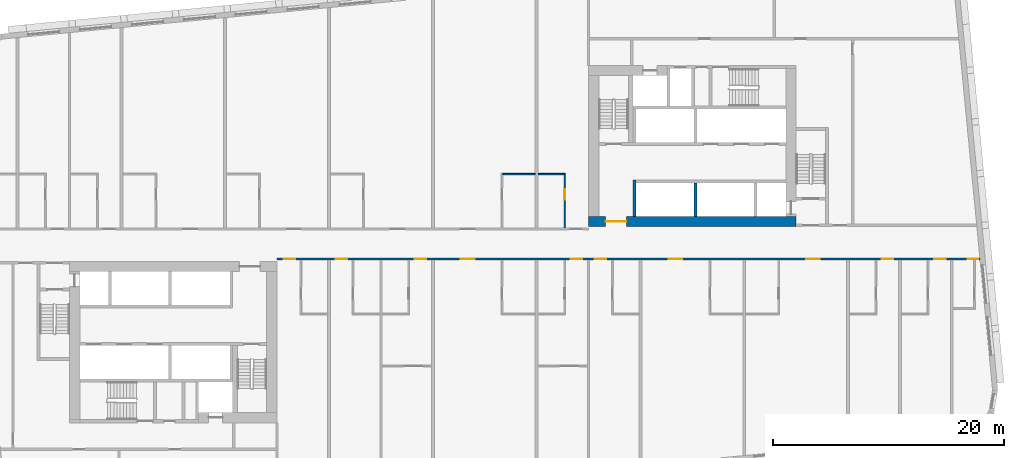
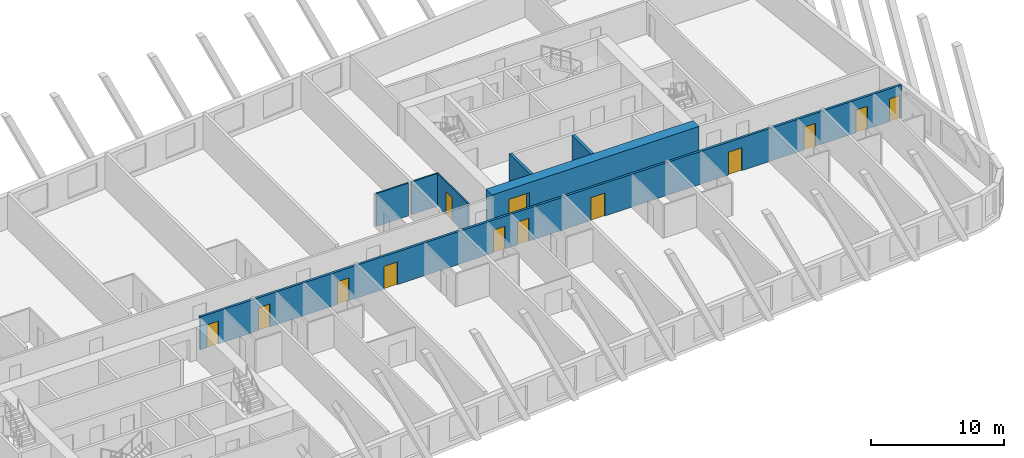
# One storey, part 5 of 13: 13 doors, 7 walls, 13 openings.
"""IFC4 building model written with IfcOpenShell, lengths in metres."""

import ifcopenshell
import ifcopenshell.guid

model = None  # the IFC model being written
_history = None  # IfcOwnerHistory: only IFC2X3 demands one
_inside = {}  # id of a spatial element -> (the spatial element, [elements in it])
_under = {}  # id of a project, library or spatial element -> (it, [spatial elements below it])
_declared = {}  # id of a project -> (the project, [libraries it declares])
_typed = {}  # id of a type object -> (the type object, [elements of that type])
_made_of = {}  # id of a material, layer set ... -> (it, [elements and type objects made of it])


def new_model(schema):
    """Start an empty IFC model of exactly this schema.

    Asked for "IFC4X3", IfcOpenShell would pick the latest addendum, in which some entities
    have other attributes; the version numbers below select the first issue.
    IFC2X3 requires an IfcOwnerHistory on every rooted entity: one is made here for all.
    """
    global model, _history
    if schema == "IFC4X3":
        model = ifcopenshell.file(schema_version=(4, 3, 0, 0))
    else:
        model = ifcopenshell.file(schema=schema)
    _inside.clear()
    _under.clear()
    _declared.clear()
    _typed.clear()
    _made_of.clear()
    _history = None
    if model.schema == "IFC2X3":
        org = make("IfcOrganization", Name="unknown")
        user = make(
            "IfcPersonAndOrganization",
            ThePerson=make("IfcPerson", FamilyName="unknown"),
            TheOrganization=org,
        )
        app = make(
            "IfcApplication",
            ApplicationDeveloper=org,
            Version="unknown",
            ApplicationFullName="unknown",
            ApplicationIdentifier="unknown",
        )
        _history = make(
            "IfcOwnerHistory",
            OwningUser=user,
            OwningApplication=app,
            ChangeAction="ADDED",
            CreationDate=0,
        )
    return model


def make(cls, **values):
    """One entity of the class cls with the attributes given. An attribute that is None is left unset."""
    return model.create_entity(
        cls, **{name: value for name, value in values.items() if value is not None}
    )


def rooted(cls, **values):
    """An entity with a GlobalId (a new one), such as an element, a storey or a relation."""
    return make(cls, GlobalId=ifcopenshell.guid.new(), OwnerHistory=_history, **values)


def si_unit(unit_type, name, prefix=None):
    """IfcSIUnit, for example si_unit("LENGTHUNIT", "METRE", prefix="MILLI")."""
    return make("IfcSIUnit", UnitType=unit_type, Prefix=prefix, Name=name)


def assignment(units):
    """IfcUnitAssignment: the units of a project."""
    return None if units is None else make("IfcUnitAssignment", Units=units)


def point(xyz):
    """IfcCartesianPoint."""
    return None if xyz is None else make("IfcCartesianPoint", Coordinates=xyz)


def direction(xyz):
    """IfcDirection."""
    return None if xyz is None else make("IfcDirection", DirectionRatios=xyz)


def frame(location, z_axis=None, x_axis=None):
    """IfcAxis2Placement3D, a coordinate frame: its origin and axes. An axis left out is left unset."""
    return make(
        "IfcAxis2Placement3D",
        Location=point(location),
        Axis=direction(z_axis),
        RefDirection=direction(x_axis),
    )


def frame_2d(location, x_axis=None):
    """IfcAxis2Placement2D, a coordinate frame in the plane: its origin and x axis."""
    return make(
        "IfcAxis2Placement2D", Location=point(location), RefDirection=direction(x_axis)
    )


def origin():
    """The frame at (0, 0, 0) with its axes left unset."""
    return frame((0.0, 0.0, 0.0))


def place(relative_to, where):
    """IfcLocalPlacement: puts the frame where relative to a parent placement (None: the world)."""
    return make(
        "IfcLocalPlacement", PlacementRelTo=relative_to, RelativePlacement=where
    )


def context(
    kind, dimensions, precision=None, world=None, true_north=None, identifier=None
):
    """IfcGeometricRepresentationContext, for example the 3D "Model" context."""
    return make(
        "IfcGeometricRepresentationContext",
        ContextIdentifier=identifier,
        ContextType=kind,
        CoordinateSpaceDimension=dimensions,
        Precision=precision,
        WorldCoordinateSystem=world,
        TrueNorth=true_north,
    )


def subcontext(parent, identifier, kind, view, scale=None):
    """IfcGeometricRepresentationSubContext, for example "Body" below "Model"."""
    return make(
        "IfcGeometricRepresentationSubContext",
        ContextIdentifier=identifier,
        ContextType=kind,
        ParentContext=parent,
        TargetScale=scale,
        TargetView=view,
    )


def project(units=None, contexts=None):
    """IfcProject with its units and contexts."""
    return rooted(
        "IfcProject",
        Name="project",
        RepresentationContexts=contexts,
        UnitsInContext=assignment(units),
    )


def spatial(cls, under=None, at=None, **own):
    """A site, building, storey or space (cls), placed at a placement, below another one or the project."""
    s = rooted(cls, ObjectPlacement=at, **own)
    if under is not None:
        _under.setdefault(under.id(), (under, []))[1].append(s)
    return s


def profile(cls, at=None, kind="AREA", **sizes):
    """A parametric profile (cls). Its sizes go by their IFC names, for example OverallWidth=200.0."""
    return make(cls, ProfileType=kind, Position=at, **sizes)


def rectangle(**sizes):
    """IfcRectangleProfileDef."""
    return profile("IfcRectangleProfileDef", **sizes)


def extrude(swept, where, along, depth):
    """IfcExtrudedAreaSolid: the profile swept, set in the frame where, extruded along a direction by depth."""
    return make(
        "IfcExtrudedAreaSolid",
        SweptArea=swept,
        Position=where,
        ExtrudedDirection=direction(along),
        Depth=depth,
    )


def shape(context_of_items, identifier, shape_type, items):
    """IfcShapeRepresentation: the items that make up one representation, for example the "Body"."""
    return make(
        "IfcShapeRepresentation",
        ContextOfItems=context_of_items,
        RepresentationIdentifier=identifier,
        RepresentationType=shape_type,
        Items=items,
    )


def material(Name=None, Category=None):
    """IfcMaterial."""
    return make("IfcMaterial", Name=Name, Category=Category)


def layer(
    of_material, thickness, ventilated=None, Name=None, Category=None, Priority=None
):
    """IfcMaterialLayer: one layer of a wall or slab, of a material (None: an air gap)."""
    return make(
        "IfcMaterialLayer",
        Material=of_material,
        LayerThickness=thickness,
        IsVentilated=ventilated,
        Name=Name,
        Category=Category,
        Priority=Priority,
    )


def layer_set(layers, Name=None):
    """IfcMaterialLayerSet."""
    return make("IfcMaterialLayerSet", MaterialLayers=layers, LayerSetName=Name)


def made_of(thing, what):
    """Note that an element or type object is made of a material, layer set ...; save() writes the relation."""
    if what is not None:
        _made_of.setdefault(what.id(), (what, []))[1].append(thing)
    return thing


def type_object(cls, material=None, **own):
    """A type object (cls), such as IfcWallType, which elements share."""
    return made_of(rooted(cls, **own), material)


def element(
    cls,
    number,
    at=None,
    inside=None,
    cuts=None,
    type_object=None,
    material=None,
    context=None,
    identifier="Body",
    shape_type=None,
    held_by="IfcProductDefinitionShape",
    body=None,
    shapes=None,
    **own,
):
    """One element of the class cls, such as IfcWall. Its Tag is "e" and its number.

    at: its placement. inside: the storey or other place that contains it. cuts: it is an
    opening in that element (IfcRelVoidsElement). A single representation is given by context,
    identifier, shape_type and body (its items); several are given by shapes. held_by: the class
    of the entity that holds the representations. save() writes the other relations.
    """
    e = rooted(cls, Tag="e%d" % number, ObjectPlacement=at, **own)
    if body is not None:
        shapes = [shape(context, identifier, shape_type, body)]
    if shapes is not None:
        e.Representation = make(held_by, Representations=shapes)
    if inside is not None:
        _inside.setdefault(inside.id(), (inside, []))[1].append(e)
    if cuts is not None:
        rooted(
            "IfcRelVoidsElement", RelatingBuildingElement=cuts, RelatedOpeningElement=e
        )
    if type_object is not None:
        _typed.setdefault(type_object.id(), (type_object, []))[1].append(e)
    return made_of(e, material)


def fill(opening, filler):
    """IfcRelFillsElement: the door or window that sits in an opening."""
    return rooted(
        "IfcRelFillsElement",
        RelatingOpeningElement=opening,
        RelatedBuildingElement=filler,
    )


def aggregate(whole, parts):
    """IfcRelAggregates: a whole, such as a stair, and the parts it consists of."""
    return rooted("IfcRelAggregates", RelatingObject=whole, RelatedObjects=parts)


def save(model, path):
    """Write the relations noted so far, then the file.

    IfcRelAggregates (storeys below a building ...), IfcRelContainedInSpatialStructure (elements
    in a storey), IfcRelDefinesByType, IfcRelAssociatesMaterial and IfcRelDeclares: one each for
    every whole, place, type object, material and project.
    """
    for whole, parts in _under.values():
        aggregate(whole, parts)
    for where, things in _inside.values():
        rooted(
            "IfcRelContainedInSpatialStructure",
            RelatedElements=things,
            RelatingStructure=where,
        )
    for kind, things in _typed.values():
        rooted("IfcRelDefinesByType", RelatedObjects=things, RelatingType=kind)
    for what, things in _made_of.values():
        rooted("IfcRelAssociatesMaterial", RelatedObjects=things, RelatingMaterial=what)
    for by, libraries in _declared.values():
        rooted("IfcRelDeclares", RelatingContext=by, RelatedDefinitions=libraries)
    model.write(path)


model = new_model("IFC4")

# Units and contexts
model_context = context("Model", 3, precision=1e-05, world=origin(), true_north=direction((0.0, 1.0)))
body_context = subcontext(model_context, "Body", "Model", "MODEL_VIEW")
ifc_project = project(units=[si_unit("LENGTHUNIT", "METRE"), si_unit("AREAUNIT", "SQUARE_METRE"), si_unit("VOLUMEUNIT", "CUBIC_METRE"), si_unit("PLANEANGLEUNIT", "RADIAN"), si_unit("MASSUNIT", "GRAM", prefix="KILO")], contexts=[model_context])

# Site, building, storey
site_placement = place(None, origin())
site = spatial("IfcSite", under=ifc_project, at=site_placement, CompositionType="ELEMENT")
building_placement = place(site_placement, origin())
building = spatial("IfcBuilding", under=site, at=building_placement, Name="Kajstack Hotel Tower", CompositionType="ELEMENT")
storey_placement = place(building_placement, frame((0.0, 0.0, 110.800048828125)))
storey = spatial("IfcBuildingStorey", under=building, at=storey_placement, Name="L23", CompositionType="ELEMENT", Elevation=110.800048828125)

# Wall, opening, door
ifc_material_1 = material(Name="Concrete C60/75", Category="concrete")
ifc_layer_1 = layer(ifc_material_1, 0.89990234375)
ifc_layer_set_1 = layer_set([ifc_layer_1], Name="Core wall 900")
wall_type_1 = type_object("IfcWallType", Name="Core wall 900", PredefinedType="SHEAR", material=ifc_layer_set_1)
wall_1_placement = place(storey_placement, frame((13.5, 1.949951171875, 0.0), z_axis=(0.0, 0.0, 1.0), x_axis=(1.0, 0.0, 0.0)))
wall_1 = element("IfcWall", 1, at=wall_1_placement, inside=storey, type_object=wall_type_1, Name="Core wall E RN", PredefinedType="SHEAR", context=body_context, shape_type="SweptSolid", body=[
    extrude(rectangle(XDim=18.0, YDim=0.89990234375, at=frame_2d((9.0, 0.0))), origin(), (0.0, 0.0, 1.0), 3.02001953125),
])
opening_1_placement = place(wall_1_placement, frame((1.47509765625, 0.0, 0.0)))
opening_1 = element("IfcOpeningElement", 2, at=opening_1_placement, cuts=wall_1, Name="Opening 23E06", PredefinedType="OPENING", context=body_context, shape_type="SweptSolid", body=[
    extrude(rectangle(XDim=1.800048828125, YDim=2.10009765625, at=frame_2d((0.89990234375, 1.050048828125))), frame((0.0, 0.4599609375, 0.0), z_axis=(0.0, -1.0, 0.0), x_axis=(1.0, 0.0, 0.0)), (0.0, 0.0, 1.0), 0.919921875),
])
ifc_material_2 = material(Name="Glazed steel frame, fire-rated glass", Category="steel")
door_type_1 = type_object("IfcDoorType", Name="Lobby double door 1800", OperationType="DOUBLE_DOOR_DOUBLE_SWING", PredefinedType="DOOR", material=ifc_material_2)
door_1_placement = place(opening_1_placement, origin())
door_1 = element("IfcDoor", 3, at=door_1_placement, inside=storey, type_object=door_type_1, Name="Door 23E06", OperationType="DOUBLE_DOOR_DOUBLE_SWING", OverallHeight=2.10009765625, OverallWidth=1.800048828125, PredefinedType="DOOR", context=body_context, shape_type="SweptSolid", body=[
    extrude(rectangle(XDim=1.800048828125, YDim=2.10009765625, at=frame_2d((0.89990234375, 1.050048828125))), frame((0.0, 0.02490234375, 0.0), z_axis=(0.0, -1.0, 0.0), x_axis=(1.0, 0.0, 0.0)), (0.0, 0.0, 1.0), 0.050048828125),
])
fill(opening_1, door_1)

# Wall, openings, doors
ifc_material_3 = material(Name="Gypsum board on steel studs, mineral wool", Category="steel")
ifc_layer_2 = layer(ifc_material_3, 0.199951171875)
ifc_layer_set_2 = layer_set([ifc_layer_2], Name="Corridor wall 200")
wall_type_2 = type_object("IfcWallType", Name="Corridor wall 200", PredefinedType="PARTITIONING", material=ifc_layer_set_2)
wall_2_placement = place(storey_placement, frame((-13.5, -1.300048828125, 0.0), z_axis=(0.0, 0.0, 1.0), x_axis=(1.0, 0.0, 0.0)))
wall_2 = element("IfcWall", 4, at=wall_2_placement, inside=storey, type_object=wall_type_2, Name="G-wall-L23-021", PredefinedType="PARTITIONING", context=body_context, shape_type="SweptSolid", body=[
    extrude(rectangle(XDim=60.931884765625, YDim=0.199951171875, at=frame_2d((30.4658203125, 0.0))), origin(), (0.0, 0.0, 1.0), 3.02001953125),
])
opening_2_placement = place(wall_2_placement, frame((0.574951171875, 0.0, 0.0)))
opening_2 = element("IfcOpeningElement", 5, at=opening_2_placement, cuts=wall_2, Name="Opening 23017", PredefinedType="OPENING", context=body_context, shape_type="SweptSolid", body=[
    extrude(rectangle(XDim=1.0, YDim=2.10009765625, at=frame_2d((0.5, 1.050048828125))), frame((0.0, 0.10986328125, 0.0), z_axis=(0.0, -1.0, 0.0), x_axis=(1.0, 0.0, 0.0)), (0.0, 0.0, 1.0), 0.219970703125),
])
opening_3_placement = place(wall_2_placement, frame((5.074951171875, 0.0, 0.0)))
opening_3 = element("IfcOpeningElement", 6, at=opening_3_placement, cuts=wall_2, Name="Opening 23019", PredefinedType="OPENING", context=body_context, shape_type="SweptSolid", body=[
    extrude(rectangle(XDim=1.0, YDim=2.10009765625, at=frame_2d((0.5, 1.050048828125))), frame((0.0, 0.10986328125, 0.0), z_axis=(0.0, -1.0, 0.0), x_axis=(1.0, 0.0, 0.0)), (0.0, 0.0, 1.0), 0.219970703125),
])
opening_4_placement = place(wall_2_placement, frame((11.925048828125, 0.0, 0.0)))
opening_4 = element("IfcOpeningElement", 7, at=opening_4_placement, cuts=wall_2, Name="Opening 23021", PredefinedType="OPENING", context=body_context, shape_type="SweptSolid", body=[
    extrude(rectangle(XDim=1.0, YDim=2.10009765625, at=frame_2d((0.5, 1.050048828125))), frame((0.0, 0.10986328125, 0.0), z_axis=(0.0, -1.0, 0.0), x_axis=(1.0, 0.0, 0.0)), (0.0, 0.0, 1.0), 0.219970703125),
])
opening_5_placement = place(wall_2_placement, frame((15.93798828125, 0.0, 0.0)))
opening_5 = element("IfcOpeningElement", 8, at=opening_5_placement, cuts=wall_2, Name="Opening 23024", PredefinedType="OPENING", context=body_context, shape_type="SweptSolid", body=[
    extrude(rectangle(XDim=1.199951171875, YDim=2.10009765625, at=frame_2d((0.60009765625, 1.050048828125))), frame((0.0, 0.10986328125, 0.0), z_axis=(0.0, -1.0, 0.0), x_axis=(1.0, 0.0, 0.0)), (0.0, 0.0, 1.0), 0.219970703125),
])
opening_6_placement = place(wall_2_placement, frame((25.449951171875, 0.0, 0.0)))
opening_6 = element("IfcOpeningElement", 9, at=opening_6_placement, cuts=wall_2, Name="Opening 23026", PredefinedType="OPENING", context=body_context, shape_type="SweptSolid", body=[
    extrude(rectangle(XDim=1.0, YDim=2.10009765625, at=frame_2d((0.5, 1.050048828125))), frame((0.0, 0.10986328125, 0.0), z_axis=(0.0, -1.0, 0.0), x_axis=(1.0, 0.0, 0.0)), (0.0, 0.0, 1.0), 0.219970703125),
])
opening_7_placement = place(wall_2_placement, frame((27.550048828125, 0.0, 0.0)))
opening_7 = element("IfcOpeningElement", 10, at=opening_7_placement, cuts=wall_2, Name="Opening 23029", PredefinedType="OPENING", context=body_context, shape_type="SweptSolid", body=[
    extrude(rectangle(XDim=1.0, YDim=2.10009765625, at=frame_2d((0.5, 1.050048828125))), frame((0.0, 0.10986328125, 0.0), z_axis=(0.0, -1.0, 0.0), x_axis=(1.0, 0.0, 0.0)), (0.0, 0.0, 1.0), 0.219970703125),
])
opening_8_placement = place(wall_2_placement, frame((33.93798828125, 0.0, 0.0)))
opening_8 = element("IfcOpeningElement", 11, at=opening_8_placement, cuts=wall_2, Name="Opening 23031", PredefinedType="OPENING", context=body_context, shape_type="SweptSolid", body=[
    extrude(rectangle(XDim=1.199951171875, YDim=2.10009765625, at=frame_2d((0.60009765625, 1.050048828125))), frame((0.0, 0.10986328125, 0.0), z_axis=(0.0, -1.0, 0.0), x_axis=(1.0, 0.0, 0.0)), (0.0, 0.0, 1.0), 0.219970703125),
])
opening_9_placement = place(wall_2_placement, frame((45.862060546875, 0.0, 0.0)))
opening_9 = element("IfcOpeningElement", 12, at=opening_9_placement, cuts=wall_2, Name="Opening 23033", PredefinedType="OPENING", context=body_context, shape_type="SweptSolid", body=[
    extrude(rectangle(XDim=1.199951171875, YDim=2.10009765625, at=frame_2d((0.60009765625, 1.050048828125))), frame((0.0, 0.10986328125, 0.0), z_axis=(0.0, -1.0, 0.0), x_axis=(1.0, 0.0, 0.0)), (0.0, 0.0, 1.0), 0.219970703125),
])
opening_10_placement = place(wall_2_placement, frame((52.425048828125, 0.0, 0.0)))
opening_10 = element("IfcOpeningElement", 13, at=opening_10_placement, cuts=wall_2, Name="Opening 23035", PredefinedType="OPENING", context=body_context, shape_type="SweptSolid", body=[
    extrude(rectangle(XDim=1.0, YDim=2.10009765625, at=frame_2d((0.5, 1.050048828125))), frame((0.0, 0.10986328125, 0.0), z_axis=(0.0, -1.0, 0.0), x_axis=(1.0, 0.0, 0.0)), (0.0, 0.0, 1.0), 0.219970703125),
])
opening_11_placement = place(wall_2_placement, frame((56.949951171875, 0.0, 0.0)))
opening_11 = element("IfcOpeningElement", 14, at=opening_11_placement, cuts=wall_2, Name="Opening 23037", PredefinedType="OPENING", context=body_context, shape_type="SweptSolid", body=[
    extrude(rectangle(XDim=1.0, YDim=2.10009765625, at=frame_2d((0.5, 1.050048828125))), frame((0.0, 0.10986328125, 0.0), z_axis=(0.0, -1.0, 0.0), x_axis=(1.0, 0.0, 0.0)), (0.0, 0.0, 1.0), 0.219970703125),
])
opening_12_placement = place(wall_2_placement, frame((59.882080078125, 0.0, 0.0)))
opening_12 = element("IfcOpeningElement", 15, at=opening_12_placement, cuts=wall_2, Name="Opening 23039", PredefinedType="OPENING", context=body_context, shape_type="SweptSolid", body=[
    extrude(rectangle(XDim=0.89990234375, YDim=2.10009765625, at=frame_2d((0.449951171875, 1.050048828125))), frame((0.0, 0.10986328125, 0.0), z_axis=(0.0, -1.0, 0.0), x_axis=(1.0, 0.0, 0.0)), (0.0, 0.0, 1.0), 0.219970703125),
])
ifc_material_4 = material(Name="Oak veneer on timber core, fire-rated leaf", Category="wood")
door_type_2 = type_object("IfcDoorType", Name="Flat entrance door 1000", OperationType="SINGLE_SWING_LEFT", PredefinedType="DOOR", material=ifc_material_4)
door_2_placement = place(opening_2_placement, origin())
door_2 = element("IfcDoor", 16, at=door_2_placement, inside=storey, type_object=door_type_2, Name="G-door-L23-17", OperationType="SINGLE_SWING_LEFT", OverallHeight=2.10009765625, OverallWidth=1.0, PredefinedType="DOOR", context=body_context, shape_type="SweptSolid", body=[
    extrude(rectangle(XDim=1.0, YDim=2.10009765625, at=frame_2d((0.5, 1.050048828125))), frame((0.0, 0.02490234375, 0.0), z_axis=(0.0, -1.0, 0.0), x_axis=(1.0, 0.0, 0.0)), (0.0, 0.0, 1.0), 0.050048828125),
])
fill(opening_2, door_2)
door_3_placement = place(opening_3_placement, origin())
door_3 = element("IfcDoor", 17, at=door_3_placement, inside=storey, type_object=door_type_2, Name="G-door-L23-19", OperationType="SINGLE_SWING_RIGHT", OverallHeight=2.10009765625, OverallWidth=1.0, PredefinedType="DOOR", context=body_context, shape_type="SweptSolid", body=[
    extrude(rectangle(XDim=1.0, YDim=2.10009765625, at=frame_2d((0.5, 1.050048828125))), frame((0.0, 0.02490234375, 0.0), z_axis=(0.0, -1.0, 0.0), x_axis=(1.0, 0.0, 0.0)), (0.0, 0.0, 1.0), 0.050048828125),
])
fill(opening_3, door_3)
door_4_placement = place(opening_4_placement, origin())
door_4 = element("IfcDoor", 18, at=door_4_placement, inside=storey, type_object=door_type_2, Name="G-door-L23-21", OperationType="SINGLE_SWING_LEFT", OverallHeight=2.10009765625, OverallWidth=1.0, PredefinedType="DOOR", context=body_context, shape_type="SweptSolid", body=[
    extrude(rectangle(XDim=1.0, YDim=2.10009765625, at=frame_2d((0.5, 1.050048828125))), frame((0.0, 0.02490234375, 0.0), z_axis=(0.0, -1.0, 0.0), x_axis=(1.0, 0.0, 0.0)), (0.0, 0.0, 1.0), 0.050048828125),
])
fill(opening_4, door_4)
door_5_placement = place(opening_6_placement, origin())
door_5 = element("IfcDoor", 19, at=door_5_placement, inside=storey, type_object=door_type_2, Name="G-door-L23-26", OperationType="SINGLE_SWING_LEFT", OverallHeight=2.10009765625, OverallWidth=1.0, PredefinedType="DOOR", context=body_context, shape_type="SweptSolid", body=[
    extrude(rectangle(XDim=1.0, YDim=2.10009765625, at=frame_2d((0.5, 1.050048828125))), frame((0.0, 0.02490234375, 0.0), z_axis=(0.0, -1.0, 0.0), x_axis=(1.0, 0.0, 0.0)), (0.0, 0.0, 1.0), 0.050048828125),
])
fill(opening_6, door_5)
door_6_placement = place(opening_7_placement, origin())
door_6 = element("IfcDoor", 20, at=door_6_placement, inside=storey, type_object=door_type_2, Name="G-door-L23-29", OperationType="SINGLE_SWING_LEFT", OverallHeight=2.10009765625, OverallWidth=1.0, PredefinedType="DOOR", context=body_context, shape_type="SweptSolid", body=[
    extrude(rectangle(XDim=1.0, YDim=2.10009765625, at=frame_2d((0.5, 1.050048828125))), frame((0.0, 0.02490234375, 0.0), z_axis=(0.0, -1.0, 0.0), x_axis=(1.0, 0.0, 0.0)), (0.0, 0.0, 1.0), 0.050048828125),
])
fill(opening_7, door_6)
door_7_placement = place(opening_10_placement, origin())
door_7 = element("IfcDoor", 21, at=door_7_placement, inside=storey, type_object=door_type_2, Name="G-door-L23-35", OperationType="SINGLE_SWING_LEFT", OverallHeight=2.10009765625, OverallWidth=1.0, PredefinedType="DOOR", context=body_context, shape_type="SweptSolid", body=[
    extrude(rectangle(XDim=1.0, YDim=2.10009765625, at=frame_2d((0.5, 1.050048828125))), frame((0.0, 0.02490234375, 0.0), z_axis=(0.0, -1.0, 0.0), x_axis=(1.0, 0.0, 0.0)), (0.0, 0.0, 1.0), 0.050048828125),
])
fill(opening_10, door_7)
door_8_placement = place(opening_11_placement, origin())
door_8 = element("IfcDoor", 22, at=door_8_placement, inside=storey, type_object=door_type_2, Name="G-door-L23-37", OperationType="SINGLE_SWING_RIGHT", OverallHeight=2.10009765625, OverallWidth=1.0, PredefinedType="DOOR", context=body_context, shape_type="SweptSolid", body=[
    extrude(rectangle(XDim=1.0, YDim=2.10009765625, at=frame_2d((0.5, 1.050048828125))), frame((0.0, 0.02490234375, 0.0), z_axis=(0.0, -1.0, 0.0), x_axis=(1.0, 0.0, 0.0)), (0.0, 0.0, 1.0), 0.050048828125),
])
fill(opening_11, door_8)
door_type_3 = type_object("IfcDoorType", Name="Flat entrance door 1200", OperationType="SINGLE_SWING_LEFT", PredefinedType="DOOR", material=ifc_material_4)
door_9_placement = place(opening_5_placement, origin())
door_9 = element("IfcDoor", 23, at=door_9_placement, inside=storey, type_object=door_type_3, Name="G-door-L23-24", OperationType="SINGLE_SWING_LEFT", OverallHeight=2.10009765625, OverallWidth=1.199951171875, PredefinedType="DOOR", context=body_context, shape_type="SweptSolid", body=[
    extrude(rectangle(XDim=1.199951171875, YDim=2.10009765625, at=frame_2d((0.60009765625, 1.050048828125))), frame((0.0, 0.02490234375, 0.0), z_axis=(0.0, -1.0, 0.0), x_axis=(1.0, 0.0, 0.0)), (0.0, 0.0, 1.0), 0.050048828125),
])
fill(opening_5, door_9)
door_10_placement = place(opening_8_placement, origin())
door_10 = element("IfcDoor", 24, at=door_10_placement, inside=storey, type_object=door_type_3, Name="G-door-L23-31", OperationType="SINGLE_SWING_RIGHT", OverallHeight=2.10009765625, OverallWidth=1.199951171875, PredefinedType="DOOR", context=body_context, shape_type="SweptSolid", body=[
    extrude(rectangle(XDim=1.199951171875, YDim=2.10009765625, at=frame_2d((0.60009765625, 1.050048828125))), frame((0.0, 0.02490234375, 0.0), z_axis=(0.0, -1.0, 0.0), x_axis=(1.0, 0.0, 0.0)), (0.0, 0.0, 1.0), 0.050048828125),
])
fill(opening_8, door_10)
door_11_placement = place(opening_9_placement, origin())
door_11 = element("IfcDoor", 25, at=door_11_placement, inside=storey, type_object=door_type_3, Name="G-door-L23-33", OperationType="SINGLE_SWING_RIGHT", OverallHeight=2.10009765625, OverallWidth=1.199951171875, PredefinedType="DOOR", context=body_context, shape_type="SweptSolid", body=[
    extrude(rectangle(XDim=1.199951171875, YDim=2.10009765625, at=frame_2d((0.60009765625, 1.050048828125))), frame((0.0, 0.02490234375, 0.0), z_axis=(0.0, -1.0, 0.0), x_axis=(1.0, 0.0, 0.0)), (0.0, 0.0, 1.0), 0.050048828125),
])
fill(opening_9, door_11)
ifc_material_5 = material(Name="Painted timber door leaf", Category="wood")
door_type_4 = type_object("IfcDoorType", Name="Room door 900", OperationType="SINGLE_SWING_LEFT", PredefinedType="DOOR", material=ifc_material_5)
door_12_placement = place(opening_12_placement, origin())
door_12 = element("IfcDoor", 26, at=door_12_placement, inside=storey, type_object=door_type_4, Name="G-door-L23-39", OperationType="SINGLE_SWING_LEFT", OverallHeight=2.10009765625, OverallWidth=0.89990234375, PredefinedType="DOOR", context=body_context, shape_type="SweptSolid", body=[
    extrude(rectangle(XDim=0.89990234375, YDim=2.10009765625, at=frame_2d((0.449951171875, 1.050048828125))), frame((0.0, 0.02490234375, 0.0), z_axis=(0.0, -1.0, 0.0), x_axis=(1.0, 0.0, 0.0)), (0.0, 0.0, 1.0), 0.050048828125),
])
fill(opening_12, door_12)

# Wall
ifc_material_6 = material(Name="Gypsum board and tiled backer on steel studs", Category="steel")
ifc_layer_3 = layer(ifc_material_6, 0.125)
ifc_layer_set_3 = layer_set([ifc_layer_3], Name="En-suite wall 125")
wall_type_3 = type_object("IfcWallType", Name="En-suite wall 125", PredefinedType="PARTITIONING", material=ifc_layer_set_3)
wall_3_placement = place(storey_placement, frame((6.074951171875, 6.06201171875, 0.0), z_axis=(0.0, 0.0, 1.0), x_axis=(1.0, 0.0, 0.0)))
element("IfcWall", 27, at=wall_3_placement, inside=storey, type_object=wall_type_3, Name="G-wall-L23-018", PredefinedType="PARTITIONING", context=body_context, shape_type="SweptSolid", body=[
    extrude(rectangle(XDim=2.800048828125, YDim=0.125, at=frame_2d((1.39990234375, 0.0))), origin(), (0.0, 0.0, 1.0), 3.02001953125),
])

# Wall, opening, door
wall_4_placement = place(storey_placement, frame((11.43798828125, 1.39990234375, 0.0), z_axis=(0.0, 0.0, 1.0), x_axis=(0.0, 1.0, 0.0)))
wall_4 = element("IfcWall", 28, at=wall_4_placement, inside=storey, type_object=wall_type_3, Name="G-wall-L23-019", PredefinedType="PARTITIONING", context=body_context, shape_type="SweptSolid", body=[
    extrude(rectangle(XDim=4.72509765625, YDim=0.125, at=frame_2d((2.362548828125, 0.0))), origin(), (0.0, 0.0, 1.0), 3.02001953125),
])
opening_13_placement = place(wall_4_placement, frame((2.449951171875, 0.0, 0.0)))
opening_13 = element("IfcOpeningElement", 29, at=opening_13_placement, cuts=wall_4, Name="Opening 23016", PredefinedType="OPENING", context=body_context, shape_type="SweptSolid", body=[
    extrude(rectangle(XDim=0.89990234375, YDim=2.10009765625, at=frame_2d((0.449951171875, 1.050048828125))), frame((0.0, 0.072509765625, 0.0), z_axis=(0.0, -1.0, 0.0), x_axis=(1.0, 0.0, 0.0)), (0.0, 0.0, 1.0), 0.14501953125),
])
door_13_placement = place(opening_13_placement, origin())
door_13 = element("IfcDoor", 30, at=door_13_placement, inside=storey, type_object=door_type_4, Name="G-door-L23-16", OperationType="SINGLE_SWING_LEFT", OverallHeight=2.10009765625, OverallWidth=0.89990234375, PredefinedType="DOOR", context=body_context, shape_type="SweptSolid", body=[
    extrude(rectangle(XDim=0.89990234375, YDim=2.10009765625, at=frame_2d((0.449951171875, 1.050048828125))), frame((0.0, 0.02490234375, 0.0), z_axis=(0.0, -1.0, 0.0), x_axis=(1.0, 0.0, 0.0)), (0.0, 0.0, 1.0), 0.050048828125),
])
fill(opening_13, door_13)

# Walls
wall_5_placement = place(storey_placement, frame((9.125, 6.06201171875, 0.0), z_axis=(0.0, 0.0, 1.0), x_axis=(1.0, 0.0, 0.0)))
element("IfcWall", 31, at=wall_5_placement, inside=storey, type_object=wall_type_3, Name="G-wall-L23-020", PredefinedType="PARTITIONING", context=body_context, shape_type="SweptSolid", body=[
    extrude(rectangle(XDim=2.25, YDim=0.125, at=frame_2d((1.125, 0.0))), origin(), (0.0, 0.0, 1.0), 3.02001953125),
])
ifc_material_7 = material(Name="Concrete C50/60", Category="concrete")
ifc_layer_4 = layer(ifc_material_7, 0.300048828125)
ifc_layer_set_4 = layer_set([ifc_layer_4], Name="Hoistway divider wall 300")
wall_type_4 = type_object("IfcWallType", Name="Hoistway divider wall 300", PredefinedType="SHEAR", material=ifc_layer_set_4)
wall_6_placement = place(storey_placement, frame((22.77490234375, 2.39990234375, 0.0), z_axis=(0.0, 0.0, 1.0), x_axis=(0.0, 1.0, 0.0)))
element("IfcWall", 32, at=wall_6_placement, inside=storey, type_object=wall_type_4, Name="Core wall E AP2", PredefinedType="SHEAR", context=body_context, shape_type="SweptSolid", body=[
    extrude(rectangle(XDim=2.900146484375, YDim=0.25, at=frame_2d((1.4501953125, 0.0))), origin(), (0.0, 0.0, 1.0), 3.02001953125),
])
ifc_layer_5 = layer(ifc_material_7, 0.25)
ifc_layer_set_5 = layer_set([ifc_layer_5], Name="Shaft wall 250")
wall_type_5 = type_object("IfcWallType", Name="Shaft wall 250", PredefinedType="SHEAR", material=ifc_layer_set_5)
wall_7_placement = place(storey_placement, frame((17.47509765625, 2.39990234375, 0.0), z_axis=(0.0, 0.0, 1.0), x_axis=(0.0, 1.0, 0.0)))
element("IfcWall", 33, at=wall_7_placement, inside=storey, type_object=wall_type_5, Name="Core wall E AE", PredefinedType="SHEAR", context=body_context, shape_type="SweptSolid", body=[
    extrude(rectangle(XDim=3.150146484375, YDim=0.25, at=frame_2d((1.5751953125, 0.0))), origin(), (0.0, 0.0, 1.0), 3.02001953125),
])

save(model, "model.ifc")
